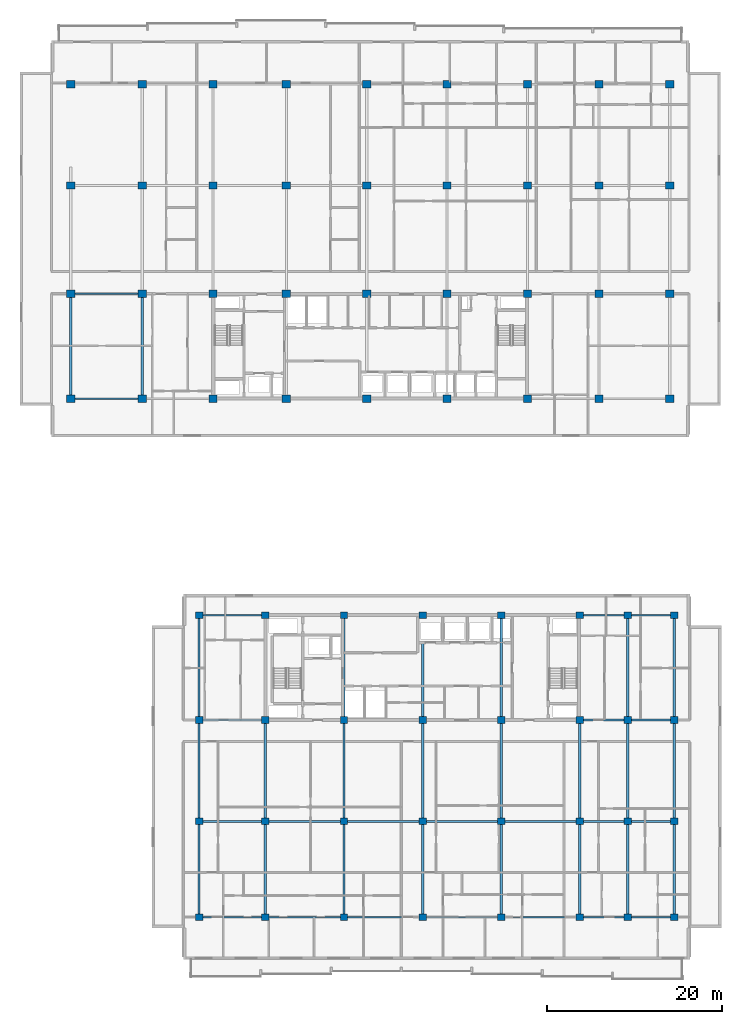
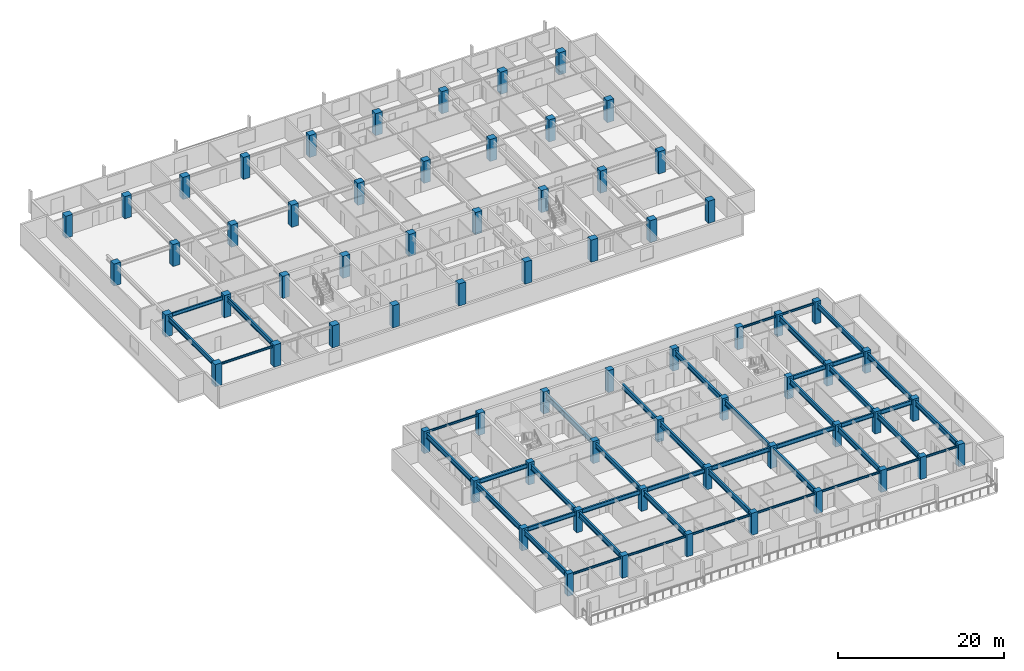
# One storey, part 1 of 22: 68 columns, 46 beams.
"""IFC4 building model written with IfcOpenShell, lengths in metres."""

import ifcopenshell
import ifcopenshell.guid

model = None  # the IFC model being written
_history = None  # IfcOwnerHistory: only IFC2X3 demands one
_inside = {}  # id of a spatial element -> (the spatial element, [elements in it])
_under = {}  # id of a project, library or spatial element -> (it, [spatial elements below it])
_declared = {}  # id of a project -> (the project, [libraries it declares])
_typed = {}  # id of a type object -> (the type object, [elements of that type])
_made_of = {}  # id of a material, layer set ... -> (it, [elements and type objects made of it])


def new_model(schema):
    """Start an empty IFC model of exactly this schema.

    Asked for "IFC4X3", IfcOpenShell would pick the latest addendum, in which some entities
    have other attributes; the version numbers below select the first issue.
    IFC2X3 requires an IfcOwnerHistory on every rooted entity: one is made here for all.
    """
    global model, _history
    if schema == "IFC4X3":
        model = ifcopenshell.file(schema_version=(4, 3, 0, 0))
    else:
        model = ifcopenshell.file(schema=schema)
    _inside.clear()
    _under.clear()
    _declared.clear()
    _typed.clear()
    _made_of.clear()
    _history = None
    if model.schema == "IFC2X3":
        org = make("IfcOrganization", Name="unknown")
        user = make(
            "IfcPersonAndOrganization",
            ThePerson=make("IfcPerson", FamilyName="unknown"),
            TheOrganization=org,
        )
        app = make(
            "IfcApplication",
            ApplicationDeveloper=org,
            Version="unknown",
            ApplicationFullName="unknown",
            ApplicationIdentifier="unknown",
        )
        _history = make(
            "IfcOwnerHistory",
            OwningUser=user,
            OwningApplication=app,
            ChangeAction="ADDED",
            CreationDate=0,
        )
    return model


def make(cls, **values):
    """One entity of the class cls with the attributes given. An attribute that is None is left unset."""
    return model.create_entity(
        cls, **{name: value for name, value in values.items() if value is not None}
    )


def rooted(cls, **values):
    """An entity with a GlobalId (a new one), such as an element, a storey or a relation."""
    return make(cls, GlobalId=ifcopenshell.guid.new(), OwnerHistory=_history, **values)


def si_unit(unit_type, name, prefix=None):
    """IfcSIUnit, for example si_unit("LENGTHUNIT", "METRE", prefix="MILLI")."""
    return make("IfcSIUnit", UnitType=unit_type, Prefix=prefix, Name=name)


def assignment(units):
    """IfcUnitAssignment: the units of a project."""
    return None if units is None else make("IfcUnitAssignment", Units=units)


def point(xyz):
    """IfcCartesianPoint."""
    return None if xyz is None else make("IfcCartesianPoint", Coordinates=xyz)


def direction(xyz):
    """IfcDirection."""
    return None if xyz is None else make("IfcDirection", DirectionRatios=xyz)


def frame(location, z_axis=None, x_axis=None):
    """IfcAxis2Placement3D, a coordinate frame: its origin and axes. An axis left out is left unset."""
    return make(
        "IfcAxis2Placement3D",
        Location=point(location),
        Axis=direction(z_axis),
        RefDirection=direction(x_axis),
    )


def frame_2d(location, x_axis=None):
    """IfcAxis2Placement2D, a coordinate frame in the plane: its origin and x axis."""
    return make(
        "IfcAxis2Placement2D", Location=point(location), RefDirection=direction(x_axis)
    )


def origin():
    """The frame at (0, 0, 0) with its axes left unset."""
    return frame((0.0, 0.0, 0.0))


def origin_2d():
    """The frame at (0, 0) in the plane with its x axis left unset."""
    return frame_2d((0.0, 0.0))


def place(relative_to, where):
    """IfcLocalPlacement: puts the frame where relative to a parent placement (None: the world)."""
    return make(
        "IfcLocalPlacement", PlacementRelTo=relative_to, RelativePlacement=where
    )


def context(
    kind, dimensions, precision=None, world=None, true_north=None, identifier=None
):
    """IfcGeometricRepresentationContext, for example the 3D "Model" context."""
    return make(
        "IfcGeometricRepresentationContext",
        ContextIdentifier=identifier,
        ContextType=kind,
        CoordinateSpaceDimension=dimensions,
        Precision=precision,
        WorldCoordinateSystem=world,
        TrueNorth=true_north,
    )


def subcontext(parent, identifier, kind, view, scale=None):
    """IfcGeometricRepresentationSubContext, for example "Body" below "Model"."""
    return make(
        "IfcGeometricRepresentationSubContext",
        ContextIdentifier=identifier,
        ContextType=kind,
        ParentContext=parent,
        TargetScale=scale,
        TargetView=view,
    )


def project(units=None, contexts=None):
    """IfcProject with its units and contexts."""
    return rooted(
        "IfcProject",
        Name="project",
        RepresentationContexts=contexts,
        UnitsInContext=assignment(units),
    )


def spatial(cls, under=None, at=None, **own):
    """A site, building, storey or space (cls), placed at a placement, below another one or the project."""
    s = rooted(cls, ObjectPlacement=at, **own)
    if under is not None:
        _under.setdefault(under.id(), (under, []))[1].append(s)
    return s


def profile(cls, at=None, kind="AREA", **sizes):
    """A parametric profile (cls). Its sizes go by their IFC names, for example OverallWidth=200.0."""
    return make(cls, ProfileType=kind, Position=at, **sizes)


def rectangle(**sizes):
    """IfcRectangleProfileDef."""
    return profile("IfcRectangleProfileDef", **sizes)


def i_section(**sizes):
    """IfcIShapeProfileDef."""
    return profile("IfcIShapeProfileDef", **sizes)


def extrude(swept, where, along, depth):
    """IfcExtrudedAreaSolid: the profile swept, set in the frame where, extruded along a direction by depth."""
    return make(
        "IfcExtrudedAreaSolid",
        SweptArea=swept,
        Position=where,
        ExtrudedDirection=direction(along),
        Depth=depth,
    )


def shape(context_of_items, identifier, shape_type, items):
    """IfcShapeRepresentation: the items that make up one representation, for example the "Body"."""
    return make(
        "IfcShapeRepresentation",
        ContextOfItems=context_of_items,
        RepresentationIdentifier=identifier,
        RepresentationType=shape_type,
        Items=items,
    )


def material(Name=None, Category=None):
    """IfcMaterial."""
    return make("IfcMaterial", Name=Name, Category=Category)


def material_profile(
    of_material, cross_section, Name=None, Category=None, Priority=None
):
    """IfcMaterialProfile: a cross section and its material."""
    return make(
        "IfcMaterialProfile",
        Name=Name,
        Material=of_material,
        Profile=cross_section,
        Priority=Priority,
        Category=Category,
    )


def profile_set(profiles, Name=None, composite=None):
    """IfcMaterialProfileSet."""
    return make(
        "IfcMaterialProfileSet",
        Name=Name,
        MaterialProfiles=profiles,
        CompositeProfile=composite,
    )


def made_of(thing, what):
    """Note that an element or type object is made of a material, layer set ...; save() writes the relation."""
    if what is not None:
        _made_of.setdefault(what.id(), (what, []))[1].append(thing)
    return thing


def type_object(cls, material=None, **own):
    """A type object (cls), such as IfcWallType, which elements share."""
    return made_of(rooted(cls, **own), material)


def element(
    cls,
    number,
    at=None,
    inside=None,
    cuts=None,
    type_object=None,
    material=None,
    context=None,
    identifier="Body",
    shape_type=None,
    held_by="IfcProductDefinitionShape",
    body=None,
    shapes=None,
    **own,
):
    """One element of the class cls, such as IfcWall. Its Tag is "e" and its number.

    at: its placement. inside: the storey or other place that contains it. cuts: it is an
    opening in that element (IfcRelVoidsElement). A single representation is given by context,
    identifier, shape_type and body (its items); several are given by shapes. held_by: the class
    of the entity that holds the representations. save() writes the other relations.
    """
    e = rooted(cls, Tag="e%d" % number, ObjectPlacement=at, **own)
    if body is not None:
        shapes = [shape(context, identifier, shape_type, body)]
    if shapes is not None:
        e.Representation = make(held_by, Representations=shapes)
    if inside is not None:
        _inside.setdefault(inside.id(), (inside, []))[1].append(e)
    if cuts is not None:
        rooted(
            "IfcRelVoidsElement", RelatingBuildingElement=cuts, RelatedOpeningElement=e
        )
    if type_object is not None:
        _typed.setdefault(type_object.id(), (type_object, []))[1].append(e)
    return made_of(e, material)


def aggregate(whole, parts):
    """IfcRelAggregates: a whole, such as a stair, and the parts it consists of."""
    return rooted("IfcRelAggregates", RelatingObject=whole, RelatedObjects=parts)


def save(model, path):
    """Write the relations noted so far, then the file.

    IfcRelAggregates (storeys below a building ...), IfcRelContainedInSpatialStructure (elements
    in a storey), IfcRelDefinesByType, IfcRelAssociatesMaterial and IfcRelDeclares: one each for
    every whole, place, type object, material and project.
    """
    for whole, parts in _under.values():
        aggregate(whole, parts)
    for where, things in _inside.values():
        rooted(
            "IfcRelContainedInSpatialStructure",
            RelatedElements=things,
            RelatingStructure=where,
        )
    for kind, things in _typed.values():
        rooted("IfcRelDefinesByType", RelatedObjects=things, RelatingType=kind)
    for what, things in _made_of.values():
        rooted("IfcRelAssociatesMaterial", RelatedObjects=things, RelatingMaterial=what)
    for by, libraries in _declared.values():
        rooted("IfcRelDeclares", RelatingContext=by, RelatedDefinitions=libraries)
    model.write(path)


model = new_model("IFC4")

# Units and contexts
model_context = context("Model", 3, precision=1e-05, world=origin(), true_north=direction((0.0, 1.0)))
body_context = subcontext(model_context, "Body", "Model", "MODEL_VIEW")
ifc_project = project(units=[si_unit("LENGTHUNIT", "METRE"), si_unit("AREAUNIT", "SQUARE_METRE"), si_unit("VOLUMEUNIT", "CUBIC_METRE"), si_unit("PLANEANGLEUNIT", "RADIAN"), si_unit("MASSUNIT", "GRAM", prefix="KILO")], contexts=[model_context])

# Site, building, storey
site_placement = place(None, origin())
site = spatial("IfcSite", under=ifc_project, at=site_placement, CompositionType="ELEMENT")
building_placement = place(site_placement, origin())
building = spatial("IfcBuilding", under=site, at=building_placement, Name="Korimba Cascade Residences", CompositionType="ELEMENT")
storey_placement = place(building_placement, frame((0.0, 0.0, 129.550048828125)))
storey = spatial("IfcBuildingStorey", under=building, at=storey_placement, Name="L37", CompositionType="ELEMENT", Elevation=129.550048828125)

# Columns
ifc_material_1 = material(Name="Concrete C65/80", Category="concrete")
ifc_material_profile_1 = material_profile(ifc_material_1, rectangle(XDim=0.85009765625, YDim=0.75, at=origin_2d()), Name="Concrete C65/80")
ifc_profile_set_1 = profile_set([ifc_material_profile_1], Name="Concrete C65/80")
column_type_1 = type_object("IfcColumnType", Name="COL-RC-850", PredefinedType="COLUMN", material=ifc_profile_set_1)
for number, where, z_axis, x_axis, name in (
    (1, (74.5, -4.199951171875, 0.0), (0.0, 0.0, 1.0), (1.0, 0.0, 0.0), "L37 Tower 2 Column 1.1"),
    (2, (74.5, 6.800048828125, 0.0), (0.0, 0.0, 1.0), (1.0, 0.0, 0.0), "L37 Tower 2 Column 1.2"),
    (3, (74.5, 18.39990234375, 0.0), (0.0, 0.0, 1.0), (1.0, 0.0, 0.0), "L37 Tower 2 Column 1.3"),
    (4, (74.5, 30.39990234375, 0.0), (0.0, 0.0, 1.0), (1.0, 0.0, 0.0), "L37 Tower 2 Column 1.4"),
    (5, (82.10009765625, -4.199951171875, 0.0), (0.0, 0.0, 1.0), (1.0, 0.0, 0.0), "L37 Tower 2 Column 2.1"),
    (6, (82.10009765625, 6.800048828125, 0.0), (0.0, 0.0, 1.0), (1.0, 0.0, 0.0), "L37 Tower 2 Column 2.2"),
    (7, (82.10009765625, 18.39990234375, 0.0), (0.0, 0.0, 1.0), (1.0, 0.0, 0.0), "L37 Tower 2 Column 2.3"),
    (8, (82.10009765625, 30.39990234375, 0.0), (0.0, 0.0, 1.0), (1.0, 0.0, 0.0), "L37 Tower 2 Column 2.4"),
    (9, (91.10009765625, -4.199951171875, 0.0), (0.0, 0.0, 1.0), (1.0, 0.0, 0.0), "L37 Tower 2 Column 3.1"),
    (10, (91.10009765625, 6.800048828125, 0.0), (0.0, 0.0, 1.0), (1.0, 0.0, 0.0), "L37 Tower 2 Column 3.2"),
    (11, (91.10009765625, 18.39990234375, 0.0), (0.0, 0.0, 1.0), (1.0, 0.0, 0.0), "L37 Tower 2 Column 3.3"),
    (12, (91.10009765625, 30.39990234375, 0.0), (0.0, 0.0, 1.0), (1.0, 0.0, 0.0), "L37 Tower 2 Column 3.4"),
    (13, (100.10009765625, -4.199951171875, 0.0), (0.0, 0.0, 1.0), (1.0, 0.0, 0.0), "L37 Tower 2 Column 4.1"),
    (14, (100.10009765625, 6.800048828125, 0.0), (0.0, 0.0, 1.0), (1.0, 0.0, 0.0), "L37 Tower 2 Column 4.2"),
    (15, (100.10009765625, 18.39990234375, 0.0), (0.0, 0.0, 1.0), (1.0, 0.0, 0.0), "L37 Tower 2 Column 4.3"),
    (16, (100.10009765625, 30.39990234375, 0.0), (0.0, 0.0, 1.0), (1.0, 0.0, 0.0), "L37 Tower 2 Column 4.4"),
    (17, (109.10009765625, -4.199951171875, 0.0), (0.0, 0.0, 1.0), (1.0, 0.0, 0.0), "L37 Tower 2 Column 5.1"),
    (18, (109.10009765625, 6.800048828125, 0.0), (0.0, 0.0, 1.0), (1.0, 0.0, 0.0), "L37 Tower 2 Column 5.2"),
    (19, (109.10009765625, 18.39990234375, 0.0), (0.0, 0.0, 1.0), (1.0, 0.0, 0.0), "L37 Tower 2 Column 5.3"),
    (20, (109.10009765625, 30.39990234375, 0.0), (0.0, 0.0, 1.0), (1.0, 0.0, 0.0), "L37 Tower 2 Column 5.4"),
    (21, (118.10009765625, -4.199951171875, 0.0), (0.0, 0.0, 1.0), (1.0, 0.0, 0.0), "L37 Tower 2 Column 6.1"),
    (22, (118.10009765625, 6.800048828125, 0.0), (0.0, 0.0, 1.0), (1.0, 0.0, 0.0), "L37 Tower 2 Column 6.2"),
    (23, (118.10009765625, 18.39990234375, 0.0), (0.0, 0.0, 1.0), (1.0, 0.0, 0.0), "L37 Tower 2 Column 6.3"),
    (24, (118.10009765625, 30.39990234375, 0.0), (0.0, 0.0, 1.0), (1.0, 0.0, 0.0), "L37 Tower 2 Column 6.4"),
    (25, (123.60009765625, -4.199951171875, 0.0), (0.0, 0.0, 1.0), (1.0, 0.0, 0.0), "L37 Tower 2 Column 7.1"),
    (26, (123.60009765625, 6.800048828125, 0.0), (0.0, 0.0, 1.0), (1.0, 0.0, 0.0), "L37 Tower 2 Column 7.2"),
    (27, (123.60009765625, 18.39990234375, 0.0), (0.0, 0.0, 1.0), (1.0, 0.0, 0.0), "L37 Tower 2 Column 7.3"),
    (28, (123.60009765625, 30.39990234375, 0.0), (0.0, 0.0, 1.0), (1.0, 0.0, 0.0), "L37 Tower 2 Column 7.4"),
    (29, (128.89990234375, -4.199951171875, 0.0), (0.0, 0.0, 1.0), (1.0, 0.0, 0.0), "L37 Tower 2 Column 8.1"),
    (30, (128.89990234375, 6.800048828125, 0.0), (0.0, 0.0, 1.0), (1.0, 0.0, 0.0), "L37 Tower 2 Column 8.2"),
    (31, (128.89990234375, 18.39990234375, 0.0), (0.0, 0.0, 1.0), (1.0, 0.0, 0.0), "L37 Tower 2 Column 8.3"),
    (32, (128.89990234375, 30.39990234375, 0.0), (0.0, 0.0, 1.0), (1.0, 0.0, 0.0), "L37 Tower 2 Column 8.4"),
):
    element("IfcColumn", number, at=place(storey_placement, frame(where, z_axis=z_axis, x_axis=x_axis)), inside=storey, type_object=column_type_1, Name=name, PredefinedType="COLUMN", context=body_context, shape_type="SweptSolid", body=[
        extrude(rectangle(XDim=0.85009765625, YDim=0.75, at=origin_2d()), origin(), (0.0, 0.0, 1.0), 3.25),
    ])
ifc_material_profile_2 = material_profile(ifc_material_1, rectangle(XDim=0.949951171875, YDim=0.85009765625, at=origin_2d()), Name="Concrete C65/80")
ifc_profile_set_2 = profile_set([ifc_material_profile_2], Name="Concrete C65/80")
column_type_2 = type_object("IfcColumnType", Name="COL-RC-950", PredefinedType="COLUMN", material=ifc_profile_set_2)
for number, where, z_axis, x_axis, name in (
    (33, (59.800048828125, 55.199951171875, 0.0), (0.0, 0.0, 1.0), (1.0, 0.0, 0.0), "L37 Tower 1 Column 1.1"),
    (34, (59.800048828125, 67.199951171875, 0.0), (0.0, 0.0, 1.0), (1.0, 0.0, 0.0), "L37 Tower 1 Column 1.2"),
    (35, (59.800048828125, 79.60009765625, 0.0), (0.0, 0.0, 1.0), (1.0, 0.0, 0.0), "L37 Tower 1 Column 1.3"),
    (36, (59.800048828125, 91.199951171875, 0.0), (0.0, 0.0, 1.0), (1.0, 0.0, 0.0), "L37 Tower 1 Column 1.4"),
    (37, (68.0, 55.199951171875, 0.0), (0.0, 0.0, 1.0), (1.0, 0.0, 0.0), "L37 Tower 1 Column 2.1"),
    (38, (68.0, 67.199951171875, 0.0), (0.0, 0.0, 1.0), (1.0, 0.0, 0.0), "L37 Tower 1 Column 2.2"),
    (39, (68.0, 79.60009765625, 0.0), (0.0, 0.0, 1.0), (1.0, 0.0, 0.0), "L37 Tower 1 Column 2.3"),
    (40, (68.0, 91.199951171875, 0.0), (0.0, 0.0, 1.0), (1.0, 0.0, 0.0), "L37 Tower 1 Column 2.4"),
    (41, (76.10009765625, 55.199951171875, 0.0), (0.0, 0.0, 1.0), (1.0, 0.0, 0.0), "L37 Tower 1 Column 3.1"),
    (42, (76.10009765625, 67.199951171875, 0.0), (0.0, 0.0, 1.0), (1.0, 0.0, 0.0), "L37 Tower 1 Column 3.2"),
    (43, (76.10009765625, 79.60009765625, 0.0), (0.0, 0.0, 1.0), (1.0, 0.0, 0.0), "L37 Tower 1 Column 3.3"),
    (44, (76.10009765625, 91.199951171875, 0.0), (0.0, 0.0, 1.0), (1.0, 0.0, 0.0), "L37 Tower 1 Column 3.4"),
    (45, (84.5, 55.199951171875, 0.0), (0.0, 0.0, 1.0), (1.0, 0.0, 0.0), "L37 Tower 1 Column 4.1"),
    (46, (84.5, 67.199951171875, 0.0), (0.0, 0.0, 1.0), (1.0, 0.0, 0.0), "L37 Tower 1 Column 4.2"),
    (47, (84.5, 79.60009765625, 0.0), (0.0, 0.0, 1.0), (1.0, 0.0, 0.0), "L37 Tower 1 Column 4.3"),
    (48, (84.5, 91.199951171875, 0.0), (0.0, 0.0, 1.0), (1.0, 0.0, 0.0), "L37 Tower 1 Column 4.4"),
    (49, (93.699951171875, 55.199951171875, 0.0), (0.0, 0.0, 1.0), (1.0, 0.0, 0.0), "L37 Tower 1 Column 5.1"),
    (50, (93.699951171875, 67.199951171875, 0.0), (0.0, 0.0, 1.0), (1.0, 0.0, 0.0), "L37 Tower 1 Column 5.2"),
    (51, (93.699951171875, 79.60009765625, 0.0), (0.0, 0.0, 1.0), (1.0, 0.0, 0.0), "L37 Tower 1 Column 5.3"),
    (52, (93.699951171875, 91.199951171875, 0.0), (0.0, 0.0, 1.0), (1.0, 0.0, 0.0), "L37 Tower 1 Column 5.4"),
    (53, (102.89990234375, 55.199951171875, 0.0), (0.0, 0.0, 1.0), (1.0, 0.0, 0.0), "L37 Tower 1 Column 6.1"),
    (54, (102.89990234375, 67.199951171875, 0.0), (0.0, 0.0, 1.0), (1.0, 0.0, 0.0), "L37 Tower 1 Column 6.2"),
    (55, (102.89990234375, 79.60009765625, 0.0), (0.0, 0.0, 1.0), (1.0, 0.0, 0.0), "L37 Tower 1 Column 6.3"),
    (56, (102.89990234375, 91.199951171875, 0.0), (0.0, 0.0, 1.0), (1.0, 0.0, 0.0), "L37 Tower 1 Column 6.4"),
    (57, (112.10009765625, 55.199951171875, 0.0), (0.0, 0.0, 1.0), (1.0, 0.0, 0.0), "L37 Tower 1 Column 7.1"),
    (58, (112.10009765625, 67.199951171875, 0.0), (0.0, 0.0, 1.0), (1.0, 0.0, 0.0), "L37 Tower 1 Column 7.2"),
    (59, (112.10009765625, 79.60009765625, 0.0), (0.0, 0.0, 1.0), (1.0, 0.0, 0.0), "L37 Tower 1 Column 7.3"),
    (60, (112.10009765625, 91.199951171875, 0.0), (0.0, 0.0, 1.0), (1.0, 0.0, 0.0), "L37 Tower 1 Column 7.4"),
    (61, (120.300048828125, 55.199951171875, 0.0), (0.0, 0.0, 1.0), (1.0, 0.0, 0.0), "L37 Tower 1 Column 8.1"),
    (62, (120.300048828125, 67.199951171875, 0.0), (0.0, 0.0, 1.0), (1.0, 0.0, 0.0), "L37 Tower 1 Column 8.2"),
    (63, (120.300048828125, 79.60009765625, 0.0), (0.0, 0.0, 1.0), (1.0, 0.0, 0.0), "L37 Tower 1 Column 8.3"),
    (64, (120.300048828125, 91.199951171875, 0.0), (0.0, 0.0, 1.0), (1.0, 0.0, 0.0), "L37 Tower 1 Column 8.4"),
    (65, (128.39990234375, 55.199951171875, 0.0), (0.0, 0.0, 1.0), (1.0, 0.0, 0.0), "L37 Tower 1 Column 9.1"),
    (66, (128.39990234375, 67.199951171875, 0.0), (0.0, 0.0, 1.0), (1.0, 0.0, 0.0), "L37 Tower 1 Column 9.2"),
    (67, (128.39990234375, 79.60009765625, 0.0), (0.0, 0.0, 1.0), (1.0, 0.0, 0.0), "L37 Tower 1 Column 9.3"),
    (68, (128.39990234375, 91.199951171875, 0.0), (0.0, 0.0, 1.0), (1.0, 0.0, 0.0), "L37 Tower 1 Column 9.4"),
):
    element("IfcColumn", number, at=place(storey_placement, frame(where, z_axis=z_axis, x_axis=x_axis)), inside=storey, type_object=column_type_2, Name=name, PredefinedType="COLUMN", context=body_context, shape_type="SweptSolid", body=[
        extrude(rectangle(XDim=0.949951171875, YDim=0.85009765625, at=origin_2d()), origin(), (0.0, 0.0, 1.0), 3.25),
    ])

# Beams
ifc_material_2 = material(Name="Steel S355", Category="steel")
ifc_material_profile_3 = material_profile(ifc_material_2, i_section(OverallWidth=0.165771484375, OverallDepth=0.306640625, WebThickness=0.006591796875, FlangeThickness=0.01171875, FilletRadius=0.0087890625, at=origin_2d()), Name="Steel S355")
ifc_profile_set_3 = profile_set([ifc_material_profile_3], Name="Steel S355")
beam_type_1 = type_object("IfcBeamType", Name="BM-STL-UB305", PredefinedType="SPANDREL", material=ifc_profile_set_3)
beam_1_placement = place(storey_placement, frame((60.27490234375, 55.199951171875, 2.816650390625), z_axis=(1.0, 0.0, 0.0), x_axis=(0.0, 1.0, 0.0)))
element("IfcBeam", 69, at=beam_1_placement, inside=storey, type_object=beam_type_1, Name="L37 T1 E-W Girder Y1 Bay 1", PredefinedType="SPANDREL", context=body_context, shape_type="SweptSolid", body=[
    extrude(i_section(OverallWidth=0.165771484375, OverallDepth=0.306640625, WebThickness=0.006591796875, FlangeThickness=0.01171875, FilletRadius=0.0087890625, at=origin_2d()), origin(), (0.0, 0.0, 1.0), 7.25),
])
beam_2_placement = place(storey_placement, frame((74.925048828125, -4.199951171875, 2.816650390625), z_axis=(1.0, 0.0, 0.0), x_axis=(0.0, 1.0, 0.0)))
element("IfcBeam", 70, at=beam_2_placement, inside=storey, type_object=beam_type_1, Name="L37 T2 E-W Girder Y1 Bay 1", PredefinedType="SPANDREL", context=body_context, shape_type="SweptSolid", body=[
    extrude(i_section(OverallWidth=0.165771484375, OverallDepth=0.306640625, WebThickness=0.006591796875, FlangeThickness=0.01171875, FilletRadius=0.0087890625, at=origin_2d()), origin(), (0.0, 0.0, 1.0), 6.75),
])
for number, where, z_axis, x_axis, name in (
    (71, (82.52490234375, -4.199951171875, 2.816650390625), (1.0, 0.0, 0.0), (0.0, 1.0, 0.0), "L37 T2 E-W Girder Y1 Bay 2"),
    (72, (91.52490234375, -4.199951171875, 2.816650390625), (1.0, 0.0, 0.0), (0.0, 1.0, 0.0), "L37 T2 E-W Girder Y1 Bay 3"),
    (73, (100.52490234375, -4.199951171875, 2.816650390625), (1.0, 0.0, 0.0), (0.0, 1.0, 0.0), "L37 T2 E-W Girder Y1 Bay 4"),
    (74, (109.52490234375, -4.199951171875, 2.816650390625), (1.0, 0.0, 0.0), (0.0, 1.0, 0.0), "L37 T2 E-W Girder Y1 Bay 5"),
):
    element("IfcBeam", number, at=place(storey_placement, frame(where, z_axis=z_axis, x_axis=x_axis)), inside=storey, type_object=beam_type_1, Name=name, PredefinedType="SPANDREL", context=body_context, shape_type="SweptSolid", body=[
        extrude(i_section(OverallWidth=0.165771484375, OverallDepth=0.306640625, WebThickness=0.006591796875, FlangeThickness=0.01171875, FilletRadius=0.0087890625, at=origin_2d()), origin(), (0.0, 0.0, 1.0), 8.150146484375),
    ])
beam_3_placement = place(storey_placement, frame((118.52490234375, -4.199951171875, 2.816650390625), z_axis=(1.0, 0.0, 0.0), x_axis=(0.0, 1.0, 0.0)))
element("IfcBeam", 75, at=beam_3_placement, inside=storey, type_object=beam_type_1, Name="L37 T2 E-W Girder Y1 Bay 6", PredefinedType="SPANDREL", context=body_context, shape_type="SweptSolid", body=[
    extrude(i_section(OverallWidth=0.165771484375, OverallDepth=0.306640625, WebThickness=0.006591796875, FlangeThickness=0.01171875, FilletRadius=0.0087890625, at=origin_2d()), origin(), (0.0, 0.0, 1.0), 4.650146484375),
])
beam_4_placement = place(storey_placement, frame((124.02490234375, -4.199951171875, 2.816650390625), z_axis=(1.0, 0.0, 0.0), x_axis=(0.0, 1.0, 0.0)))
element("IfcBeam", 76, at=beam_4_placement, inside=storey, type_object=beam_type_1, Name="L37 T2 E-W Girder Y1 Bay 7", PredefinedType="SPANDREL", context=body_context, shape_type="SweptSolid", body=[
    extrude(i_section(OverallWidth=0.165771484375, OverallDepth=0.306640625, WebThickness=0.006591796875, FlangeThickness=0.01171875, FilletRadius=0.0087890625, at=origin_2d()), origin(), (0.0, 0.0, 1.0), 4.4501953125),
])
beam_5_placement = place(storey_placement, frame((74.925048828125, 30.39990234375, 2.816650390625), z_axis=(1.0, 0.0, 0.0), x_axis=(0.0, 1.0, 0.0)))
element("IfcBeam", 77, at=beam_5_placement, inside=storey, type_object=beam_type_1, Name="L37 T2 E-W Girder Y4 Bay 1", PredefinedType="SPANDREL", context=body_context, shape_type="SweptSolid", body=[
    extrude(i_section(OverallWidth=0.165771484375, OverallDepth=0.306640625, WebThickness=0.006591796875, FlangeThickness=0.01171875, FilletRadius=0.0087890625, at=origin_2d()), origin(), (0.0, 0.0, 1.0), 6.75),
])
beam_6_placement = place(storey_placement, frame((118.52490234375, 30.39990234375, 2.816650390625), z_axis=(1.0, 0.0, 0.0), x_axis=(0.0, 1.0, 0.0)))
element("IfcBeam", 78, at=beam_6_placement, inside=storey, type_object=beam_type_1, Name="L37 T2 E-W Girder Y4 Bay 6", PredefinedType="SPANDREL", context=body_context, shape_type="SweptSolid", body=[
    extrude(i_section(OverallWidth=0.165771484375, OverallDepth=0.306640625, WebThickness=0.006591796875, FlangeThickness=0.01171875, FilletRadius=0.0087890625, at=origin_2d()), origin(), (0.0, 0.0, 1.0), 4.650146484375),
])
beam_7_placement = place(storey_placement, frame((124.02490234375, 30.39990234375, 2.816650390625), z_axis=(1.0, 0.0, 0.0), x_axis=(0.0, 1.0, 0.0)))
element("IfcBeam", 79, at=beam_7_placement, inside=storey, type_object=beam_type_1, Name="L37 T2 E-W Girder Y4 Bay 7", PredefinedType="SPANDREL", context=body_context, shape_type="SweptSolid", body=[
    extrude(i_section(OverallWidth=0.165771484375, OverallDepth=0.306640625, WebThickness=0.006591796875, FlangeThickness=0.01171875, FilletRadius=0.0087890625, at=origin_2d()), origin(), (0.0, 0.0, 1.0), 4.4501953125),
])
ifc_material_profile_4 = material_profile(ifc_material_2, i_section(OverallWidth=0.2099609375, OverallDepth=0.53662109375, WebThickness=0.0107421875, FlangeThickness=0.017333984375, FilletRadius=0.0126953125, at=origin_2d()), Name="Steel S355")
ifc_profile_set_4 = profile_set([ifc_material_profile_4], Name="Steel S355")
beam_type_2 = type_object("IfcBeamType", Name="BM-STL-UB533", PredefinedType="BEAM", material=ifc_profile_set_4)
beam_8_placement = place(storey_placement, frame((60.27490234375, 67.199951171875, 2.70166015625), z_axis=(1.0, 0.0, 0.0), x_axis=(0.0, 1.0, 0.0)))
element("IfcBeam", 80, at=beam_8_placement, inside=storey, type_object=beam_type_2, Name="L37 T1 E-W Girder Y2 Bay 1", PredefinedType="BEAM", context=body_context, shape_type="SweptSolid", body=[
    extrude(i_section(OverallWidth=0.2099609375, OverallDepth=0.53662109375, WebThickness=0.0107421875, FlangeThickness=0.017333984375, FilletRadius=0.0126953125, at=origin_2d()), origin(), (0.0, 0.0, 1.0), 7.25),
])
ifc_material_profile_5 = material_profile(ifc_material_2, i_section(OverallWidth=0.22900390625, OverallDepth=0.6123046875, WebThickness=0.011962890625, FlangeThickness=0.01953125, FilletRadius=0.0126953125, at=origin_2d()), Name="Steel S355")
ifc_profile_set_5 = profile_set([ifc_material_profile_5], Name="Steel S355")
beam_type_3 = type_object("IfcBeamType", Name="BM-STL-UB610B", PredefinedType="BEAM", material=ifc_profile_set_5)
beam_9_placement = place(storey_placement, frame((74.925048828125, 6.800048828125, 2.663818359375), z_axis=(1.0, 0.0, 0.0), x_axis=(0.0, 1.0, 0.0)))
element("IfcBeam", 81, at=beam_9_placement, inside=storey, type_object=beam_type_3, Name="L37 T2 E-W Girder Y2 Bay 1", PredefinedType="BEAM", context=body_context, shape_type="SweptSolid", body=[
    extrude(i_section(OverallWidth=0.22900390625, OverallDepth=0.6123046875, WebThickness=0.011962890625, FlangeThickness=0.01953125, FilletRadius=0.0126953125, at=origin_2d()), origin(), (0.0, 0.0, 1.0), 6.75),
])
for number, where, z_axis, x_axis, name in (
    (82, (82.52490234375, 6.800048828125, 2.663818359375), (1.0, 0.0, 0.0), (0.0, 1.0, 0.0), "L37 T2 E-W Girder Y2 Bay 2"),
    (83, (91.52490234375, 6.800048828125, 2.663818359375), (1.0, 0.0, 0.0), (0.0, 1.0, 0.0), "L37 T2 E-W Girder Y2 Bay 3"),
    (84, (100.52490234375, 6.800048828125, 2.663818359375), (1.0, 0.0, 0.0), (0.0, 1.0, 0.0), "L37 T2 E-W Girder Y2 Bay 4"),
    (85, (109.52490234375, 6.800048828125, 2.663818359375), (1.0, 0.0, 0.0), (0.0, 1.0, 0.0), "L37 T2 E-W Girder Y2 Bay 5"),
):
    element("IfcBeam", number, at=place(storey_placement, frame(where, z_axis=z_axis, x_axis=x_axis)), inside=storey, type_object=beam_type_3, Name=name, PredefinedType="BEAM", context=body_context, shape_type="SweptSolid", body=[
        extrude(i_section(OverallWidth=0.22900390625, OverallDepth=0.6123046875, WebThickness=0.011962890625, FlangeThickness=0.01953125, FilletRadius=0.0126953125, at=origin_2d()), origin(), (0.0, 0.0, 1.0), 8.150146484375),
    ])
beam_10_placement = place(storey_placement, frame((118.52490234375, 6.800048828125, 2.663818359375), z_axis=(1.0, 0.0, 0.0), x_axis=(0.0, 1.0, 0.0)))
element("IfcBeam", 86, at=beam_10_placement, inside=storey, type_object=beam_type_3, Name="L37 T2 E-W Girder Y2 Bay 6", PredefinedType="BEAM", context=body_context, shape_type="SweptSolid", body=[
    extrude(i_section(OverallWidth=0.22900390625, OverallDepth=0.6123046875, WebThickness=0.011962890625, FlangeThickness=0.01953125, FilletRadius=0.0126953125, at=origin_2d()), origin(), (0.0, 0.0, 1.0), 4.650146484375),
])
beam_11_placement = place(storey_placement, frame((124.02490234375, 6.800048828125, 2.663818359375), z_axis=(1.0, 0.0, 0.0), x_axis=(0.0, 1.0, 0.0)))
element("IfcBeam", 87, at=beam_11_placement, inside=storey, type_object=beam_type_3, Name="L37 T2 E-W Girder Y2 Bay 7", PredefinedType="BEAM", context=body_context, shape_type="SweptSolid", body=[
    extrude(i_section(OverallWidth=0.22900390625, OverallDepth=0.6123046875, WebThickness=0.011962890625, FlangeThickness=0.01953125, FilletRadius=0.0126953125, at=origin_2d()), origin(), (0.0, 0.0, 1.0), 4.4501953125),
])
beam_12_placement = place(storey_placement, frame((74.925048828125, 18.39990234375, 2.663818359375), z_axis=(1.0, 0.0, 0.0), x_axis=(0.0, 1.0, 0.0)))
element("IfcBeam", 88, at=beam_12_placement, inside=storey, type_object=beam_type_3, Name="L37 T2 E-W Girder Y3 Bay 1", PredefinedType="BEAM", context=body_context, shape_type="SweptSolid", body=[
    extrude(i_section(OverallWidth=0.22900390625, OverallDepth=0.6123046875, WebThickness=0.011962890625, FlangeThickness=0.01953125, FilletRadius=0.0126953125, at=origin_2d()), origin(), (0.0, 0.0, 1.0), 6.75),
])
beam_13_placement = place(storey_placement, frame((118.52490234375, 18.39990234375, 2.663818359375), z_axis=(1.0, 0.0, 0.0), x_axis=(0.0, 1.0, 0.0)))
element("IfcBeam", 89, at=beam_13_placement, inside=storey, type_object=beam_type_3, Name="L37 T2 E-W Girder Y3 Bay 6", PredefinedType="BEAM", context=body_context, shape_type="SweptSolid", body=[
    extrude(i_section(OverallWidth=0.22900390625, OverallDepth=0.6123046875, WebThickness=0.011962890625, FlangeThickness=0.01953125, FilletRadius=0.0126953125, at=origin_2d()), origin(), (0.0, 0.0, 1.0), 4.650146484375),
])
beam_14_placement = place(storey_placement, frame((124.02490234375, 18.39990234375, 2.663818359375), z_axis=(1.0, 0.0, 0.0), x_axis=(0.0, 1.0, 0.0)))
element("IfcBeam", 90, at=beam_14_placement, inside=storey, type_object=beam_type_3, Name="L37 T2 E-W Girder Y3 Bay 7", PredefinedType="BEAM", context=body_context, shape_type="SweptSolid", body=[
    extrude(i_section(OverallWidth=0.22900390625, OverallDepth=0.6123046875, WebThickness=0.011962890625, FlangeThickness=0.01953125, FilletRadius=0.0126953125, at=origin_2d()), origin(), (0.0, 0.0, 1.0), 4.4501953125),
])
ifc_material_profile_6 = material_profile(ifc_material_2, i_section(OverallWidth=0.255859375, OverallDepth=0.69287109375, WebThickness=0.014404296875, FlangeThickness=0.023681640625, FilletRadius=0.01513671875, at=origin_2d()), Name="Steel S355")
ifc_profile_set_6 = profile_set([ifc_material_profile_6], Name="Steel S355")
beam_type_4 = type_object("IfcBeamType", Name="BM-STL-UB686", PredefinedType="BEAM", material=ifc_profile_set_6)
for number, where, z_axis, x_axis, name in (
    (91, (59.800048828125, 55.625, 2.62353515625), (0.0, 1.0, 0.0), (-1.0, 0.0, 0.0), "L37 T1 N-S Girder X1 Seg 1"),
    (92, (68.0, 55.625, 2.62353515625), (0.0, 1.0, 0.0), (-1.0, 0.0, 0.0), "L37 T1 N-S Girder X2 Seg 1"),
):
    element("IfcBeam", number, at=place(storey_placement, frame(where, z_axis=z_axis, x_axis=x_axis)), inside=storey, type_object=beam_type_4, Name=name, PredefinedType="BEAM", context=body_context, shape_type="SweptSolid", body=[
        extrude(i_section(OverallWidth=0.255859375, OverallDepth=0.69287109375, WebThickness=0.014404296875, FlangeThickness=0.023681640625, FilletRadius=0.01513671875, at=origin_2d()), origin(), (0.0, 0.0, 1.0), 11.14990234375),
    ])
ifc_material_profile_7 = material_profile(ifc_material_2, i_section(OverallWidth=0.26806640625, OverallDepth=0.769775390625, WebThickness=0.015625, FlangeThickness=0.025390625, FilletRadius=0.0166015625, at=origin_2d()), Name="Steel S355")
ifc_profile_set_7 = profile_set([ifc_material_profile_7], Name="Steel S355")
beam_type_5 = type_object("IfcBeamType", Name="BM-STL-UB762", PredefinedType="BEAM", material=ifc_profile_set_7)
beam_15_placement = place(storey_placement, frame((74.5, -3.824951171875, 2.5849609375), z_axis=(0.0, 1.0, 0.0), x_axis=(-1.0, 0.0, 0.0)))
element("IfcBeam", 93, at=beam_15_placement, inside=storey, type_object=beam_type_5, Name="L37 T2 N-S Girder X1 Seg 1", PredefinedType="BEAM", context=body_context, shape_type="SweptSolid", body=[
    extrude(i_section(OverallWidth=0.26806640625, OverallDepth=0.769775390625, WebThickness=0.015625, FlangeThickness=0.025390625, FilletRadius=0.0166015625, at=origin_2d()), origin(), (0.0, 0.0, 1.0), 10.25),
])
beam_16_placement = place(storey_placement, frame((74.5, 7.175048828125, 2.5849609375), z_axis=(0.0, 1.0, 0.0), x_axis=(-1.0, 0.0, 0.0)))
element("IfcBeam", 94, at=beam_16_placement, inside=storey, type_object=beam_type_5, Name="L37 T2 N-S Girder X1 Seg 2", PredefinedType="BEAM", context=body_context, shape_type="SweptSolid", body=[
    extrude(i_section(OverallWidth=0.26806640625, OverallDepth=0.769775390625, WebThickness=0.015625, FlangeThickness=0.025390625, FilletRadius=0.0166015625, at=origin_2d()), origin(), (0.0, 0.0, 1.0), 10.849853515625),
])
beam_17_placement = place(storey_placement, frame((74.5, 18.77490234375, 2.5849609375), z_axis=(0.0, 1.0, 0.0), x_axis=(-1.0, 0.0, 0.0)))
element("IfcBeam", 95, at=beam_17_placement, inside=storey, type_object=beam_type_5, Name="L37 T2 N-S Girder X1 Seg 3", PredefinedType="BEAM", context=body_context, shape_type="SweptSolid", body=[
    extrude(i_section(OverallWidth=0.26806640625, OverallDepth=0.769775390625, WebThickness=0.015625, FlangeThickness=0.025390625, FilletRadius=0.0166015625, at=origin_2d()), origin(), (0.0, 0.0, 1.0), 11.25),
])
beam_18_placement = place(storey_placement, frame((82.10009765625, -3.824951171875, 2.5849609375), z_axis=(0.0, 1.0, 0.0), x_axis=(-1.0, 0.0, 0.0)))
element("IfcBeam", 96, at=beam_18_placement, inside=storey, type_object=beam_type_5, Name="L37 T2 N-S Girder X2 Seg 1", PredefinedType="BEAM", context=body_context, shape_type="SweptSolid", body=[
    extrude(i_section(OverallWidth=0.26806640625, OverallDepth=0.769775390625, WebThickness=0.015625, FlangeThickness=0.025390625, FilletRadius=0.0166015625, at=origin_2d()), origin(), (0.0, 0.0, 1.0), 10.25),
])
beam_19_placement = place(storey_placement, frame((82.10009765625, 7.175048828125, 2.5849609375), z_axis=(0.0, 1.0, 0.0), x_axis=(-1.0, 0.0, 0.0)))
element("IfcBeam", 97, at=beam_19_placement, inside=storey, type_object=beam_type_5, Name="L37 T2 N-S Girder X2 Seg 2", PredefinedType="BEAM", context=body_context, shape_type="SweptSolid", body=[
    extrude(i_section(OverallWidth=0.26806640625, OverallDepth=0.769775390625, WebThickness=0.015625, FlangeThickness=0.025390625, FilletRadius=0.0166015625, at=origin_2d()), origin(), (0.0, 0.0, 1.0), 10.849853515625),
])
beam_20_placement = place(storey_placement, frame((91.10009765625, -3.824951171875, 2.5849609375), z_axis=(0.0, 1.0, 0.0), x_axis=(-1.0, 0.0, 0.0)))
element("IfcBeam", 98, at=beam_20_placement, inside=storey, type_object=beam_type_5, Name="L37 T2 N-S Girder X3 Seg 1", PredefinedType="BEAM", context=body_context, shape_type="SweptSolid", body=[
    extrude(i_section(OverallWidth=0.26806640625, OverallDepth=0.769775390625, WebThickness=0.015625, FlangeThickness=0.025390625, FilletRadius=0.0166015625, at=origin_2d()), origin(), (0.0, 0.0, 1.0), 10.25),
])
beam_21_placement = place(storey_placement, frame((91.10009765625, 7.175048828125, 2.5849609375), z_axis=(0.0, 1.0, 0.0), x_axis=(-1.0, 0.0, 0.0)))
element("IfcBeam", 99, at=beam_21_placement, inside=storey, type_object=beam_type_5, Name="L37 T2 N-S Girder X3 Seg 2", PredefinedType="BEAM", context=body_context, shape_type="SweptSolid", body=[
    extrude(i_section(OverallWidth=0.26806640625, OverallDepth=0.769775390625, WebThickness=0.015625, FlangeThickness=0.025390625, FilletRadius=0.0166015625, at=origin_2d()), origin(), (0.0, 0.0, 1.0), 10.849853515625),
])
beam_22_placement = place(storey_placement, frame((91.10009765625, 18.77490234375, 2.5849609375), z_axis=(0.0, 1.0, 0.0), x_axis=(-1.0, 0.0, 0.0)))
element("IfcBeam", 100, at=beam_22_placement, inside=storey, type_object=beam_type_5, Name="L37 T2 N-S Girder X3 Seg 3", PredefinedType="BEAM", context=body_context, shape_type="SweptSolid", body=[
    extrude(i_section(OverallWidth=0.26806640625, OverallDepth=0.769775390625, WebThickness=0.015625, FlangeThickness=0.025390625, FilletRadius=0.0166015625, at=origin_2d()), origin(), (0.0, 0.0, 1.0), 11.25),
])
beam_23_placement = place(storey_placement, frame((100.10009765625, -3.824951171875, 2.5849609375), z_axis=(0.0, 1.0, 0.0), x_axis=(-1.0, 0.0, 0.0)))
element("IfcBeam", 101, at=beam_23_placement, inside=storey, type_object=beam_type_5, Name="L37 T2 N-S Girder X4 Seg 1", PredefinedType="BEAM", context=body_context, shape_type="SweptSolid", body=[
    extrude(i_section(OverallWidth=0.26806640625, OverallDepth=0.769775390625, WebThickness=0.015625, FlangeThickness=0.025390625, FilletRadius=0.0166015625, at=origin_2d()), origin(), (0.0, 0.0, 1.0), 10.25),
])
beam_24_placement = place(storey_placement, frame((100.10009765625, 7.175048828125, 2.5849609375), z_axis=(0.0, 1.0, 0.0), x_axis=(-1.0, 0.0, 0.0)))
element("IfcBeam", 102, at=beam_24_placement, inside=storey, type_object=beam_type_5, Name="L37 T2 N-S Girder X4 Seg 2", PredefinedType="BEAM", context=body_context, shape_type="SweptSolid", body=[
    extrude(i_section(OverallWidth=0.26806640625, OverallDepth=0.769775390625, WebThickness=0.015625, FlangeThickness=0.025390625, FilletRadius=0.0166015625, at=origin_2d()), origin(), (0.0, 0.0, 1.0), 10.849853515625),
])
beam_25_placement = place(storey_placement, frame((100.10009765625, 18.77490234375, 2.5849609375), z_axis=(0.0, 1.0, 0.0), x_axis=(-1.0, 0.0, 0.0)))
element("IfcBeam", 103, at=beam_25_placement, inside=storey, type_object=beam_type_5, Name="L37 T2 N-S Girder X4 Seg 3", PredefinedType="BEAM", context=body_context, shape_type="SweptSolid", body=[
    extrude(i_section(OverallWidth=0.26806640625, OverallDepth=0.769775390625, WebThickness=0.015625, FlangeThickness=0.025390625, FilletRadius=0.0166015625, at=origin_2d()), origin(), (0.0, 0.0, 1.0), 8.565185546875),
])
beam_26_placement = place(storey_placement, frame((109.10009765625, -3.824951171875, 2.5849609375), z_axis=(0.0, 1.0, 0.0), x_axis=(-1.0, 0.0, 0.0)))
element("IfcBeam", 104, at=beam_26_placement, inside=storey, type_object=beam_type_5, Name="L37 T2 N-S Girder X5 Seg 1", PredefinedType="BEAM", context=body_context, shape_type="SweptSolid", body=[
    extrude(i_section(OverallWidth=0.26806640625, OverallDepth=0.769775390625, WebThickness=0.015625, FlangeThickness=0.025390625, FilletRadius=0.0166015625, at=origin_2d()), origin(), (0.0, 0.0, 1.0), 10.25),
])
beam_27_placement = place(storey_placement, frame((109.10009765625, 7.175048828125, 2.5849609375), z_axis=(0.0, 1.0, 0.0), x_axis=(-1.0, 0.0, 0.0)))
element("IfcBeam", 105, at=beam_27_placement, inside=storey, type_object=beam_type_5, Name="L37 T2 N-S Girder X5 Seg 2", PredefinedType="BEAM", context=body_context, shape_type="SweptSolid", body=[
    extrude(i_section(OverallWidth=0.26806640625, OverallDepth=0.769775390625, WebThickness=0.015625, FlangeThickness=0.025390625, FilletRadius=0.0166015625, at=origin_2d()), origin(), (0.0, 0.0, 1.0), 10.849853515625),
])
beam_28_placement = place(storey_placement, frame((109.10009765625, 18.77490234375, 2.5849609375), z_axis=(0.0, 1.0, 0.0), x_axis=(-1.0, 0.0, 0.0)))
element("IfcBeam", 106, at=beam_28_placement, inside=storey, type_object=beam_type_5, Name="L37 T2 N-S Girder X5 Seg 3", PredefinedType="BEAM", context=body_context, shape_type="SweptSolid", body=[
    extrude(i_section(OverallWidth=0.26806640625, OverallDepth=0.769775390625, WebThickness=0.015625, FlangeThickness=0.025390625, FilletRadius=0.0166015625, at=origin_2d()), origin(), (0.0, 0.0, 1.0), 11.25),
])
beam_29_placement = place(storey_placement, frame((118.10009765625, -3.824951171875, 2.5849609375), z_axis=(0.0, 1.0, 0.0), x_axis=(-1.0, 0.0, 0.0)))
element("IfcBeam", 107, at=beam_29_placement, inside=storey, type_object=beam_type_5, Name="L37 T2 N-S Girder X6 Seg 1", PredefinedType="BEAM", context=body_context, shape_type="SweptSolid", body=[
    extrude(i_section(OverallWidth=0.26806640625, OverallDepth=0.769775390625, WebThickness=0.015625, FlangeThickness=0.025390625, FilletRadius=0.0166015625, at=origin_2d()), origin(), (0.0, 0.0, 1.0), 10.25),
])
beam_30_placement = place(storey_placement, frame((118.10009765625, 7.175048828125, 2.5849609375), z_axis=(0.0, 1.0, 0.0), x_axis=(-1.0, 0.0, 0.0)))
element("IfcBeam", 108, at=beam_30_placement, inside=storey, type_object=beam_type_5, Name="L37 T2 N-S Girder X6 Seg 2", PredefinedType="BEAM", context=body_context, shape_type="SweptSolid", body=[
    extrude(i_section(OverallWidth=0.26806640625, OverallDepth=0.769775390625, WebThickness=0.015625, FlangeThickness=0.025390625, FilletRadius=0.0166015625, at=origin_2d()), origin(), (0.0, 0.0, 1.0), 10.849853515625),
])
beam_31_placement = place(storey_placement, frame((123.60009765625, -3.824951171875, 2.5849609375), z_axis=(0.0, 1.0, 0.0), x_axis=(-1.0, 0.0, 0.0)))
element("IfcBeam", 109, at=beam_31_placement, inside=storey, type_object=beam_type_5, Name="L37 T2 N-S Girder X7 Seg 1", PredefinedType="BEAM", context=body_context, shape_type="SweptSolid", body=[
    extrude(i_section(OverallWidth=0.26806640625, OverallDepth=0.769775390625, WebThickness=0.015625, FlangeThickness=0.025390625, FilletRadius=0.0166015625, at=origin_2d()), origin(), (0.0, 0.0, 1.0), 10.25),
])
beam_32_placement = place(storey_placement, frame((123.60009765625, 7.175048828125, 2.5849609375), z_axis=(0.0, 1.0, 0.0), x_axis=(-1.0, 0.0, 0.0)))
element("IfcBeam", 110, at=beam_32_placement, inside=storey, type_object=beam_type_5, Name="L37 T2 N-S Girder X7 Seg 2", PredefinedType="BEAM", context=body_context, shape_type="SweptSolid", body=[
    extrude(i_section(OverallWidth=0.26806640625, OverallDepth=0.769775390625, WebThickness=0.015625, FlangeThickness=0.025390625, FilletRadius=0.0166015625, at=origin_2d()), origin(), (0.0, 0.0, 1.0), 10.849853515625),
])
beam_33_placement = place(storey_placement, frame((123.60009765625, 18.77490234375, 2.5849609375), z_axis=(0.0, 1.0, 0.0), x_axis=(-1.0, 0.0, 0.0)))
element("IfcBeam", 111, at=beam_33_placement, inside=storey, type_object=beam_type_5, Name="L37 T2 N-S Girder X7 Seg 3", PredefinedType="BEAM", context=body_context, shape_type="SweptSolid", body=[
    extrude(i_section(OverallWidth=0.26806640625, OverallDepth=0.769775390625, WebThickness=0.015625, FlangeThickness=0.025390625, FilletRadius=0.0166015625, at=origin_2d()), origin(), (0.0, 0.0, 1.0), 11.25),
])
beam_34_placement = place(storey_placement, frame((128.89990234375, -3.824951171875, 2.5849609375), z_axis=(0.0, 1.0, 0.0), x_axis=(-1.0, 0.0, 0.0)))
element("IfcBeam", 112, at=beam_34_placement, inside=storey, type_object=beam_type_5, Name="L37 T2 N-S Girder X8 Seg 1", PredefinedType="BEAM", context=body_context, shape_type="SweptSolid", body=[
    extrude(i_section(OverallWidth=0.26806640625, OverallDepth=0.769775390625, WebThickness=0.015625, FlangeThickness=0.025390625, FilletRadius=0.0166015625, at=origin_2d()), origin(), (0.0, 0.0, 1.0), 10.25),
])
beam_35_placement = place(storey_placement, frame((128.89990234375, 7.175048828125, 2.5849609375), z_axis=(0.0, 1.0, 0.0), x_axis=(-1.0, 0.0, 0.0)))
element("IfcBeam", 113, at=beam_35_placement, inside=storey, type_object=beam_type_5, Name="L37 T2 N-S Girder X8 Seg 2", PredefinedType="BEAM", context=body_context, shape_type="SweptSolid", body=[
    extrude(i_section(OverallWidth=0.26806640625, OverallDepth=0.769775390625, WebThickness=0.015625, FlangeThickness=0.025390625, FilletRadius=0.0166015625, at=origin_2d()), origin(), (0.0, 0.0, 1.0), 10.849853515625),
])
beam_36_placement = place(storey_placement, frame((128.89990234375, 18.77490234375, 2.5849609375), z_axis=(0.0, 1.0, 0.0), x_axis=(-1.0, 0.0, 0.0)))
element("IfcBeam", 114, at=beam_36_placement, inside=storey, type_object=beam_type_5, Name="L37 T2 N-S Girder X8 Seg 3", PredefinedType="BEAM", context=body_context, shape_type="SweptSolid", body=[
    extrude(i_section(OverallWidth=0.26806640625, OverallDepth=0.769775390625, WebThickness=0.015625, FlangeThickness=0.025390625, FilletRadius=0.0166015625, at=origin_2d()), origin(), (0.0, 0.0, 1.0), 11.25),
])

save(model, "model.ifc")
